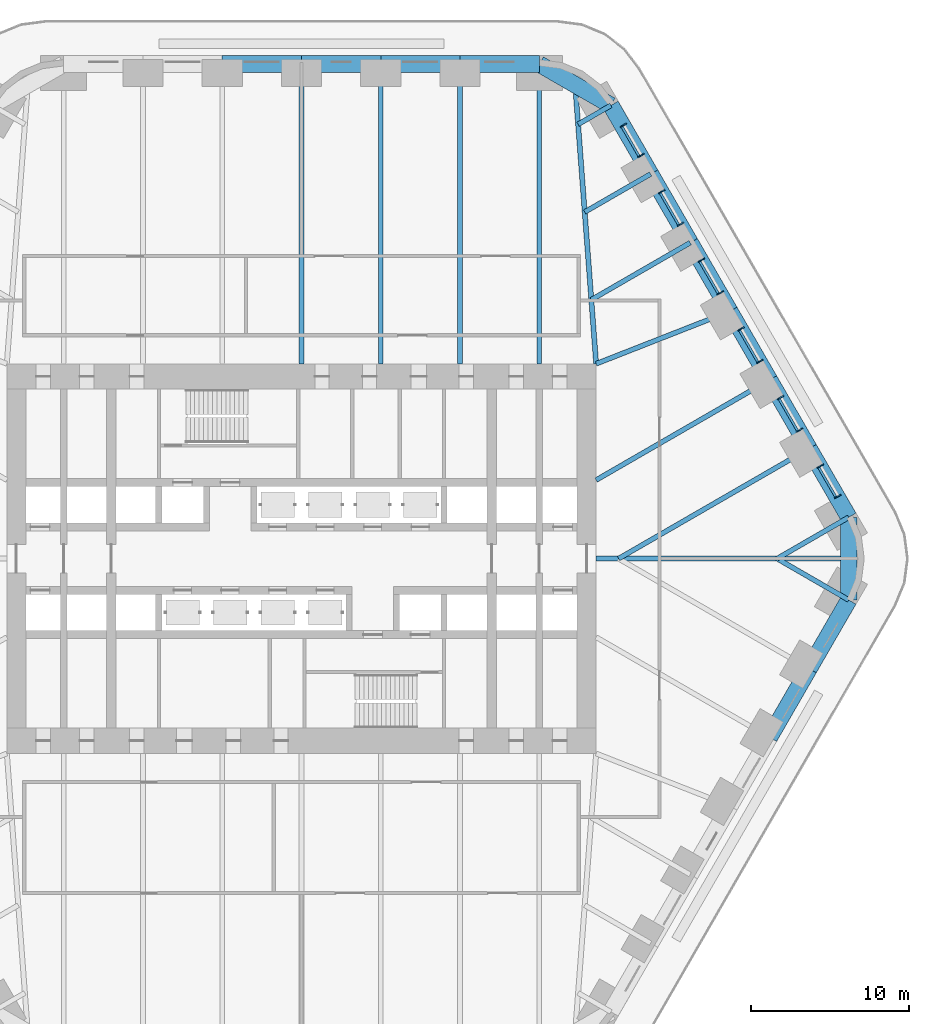
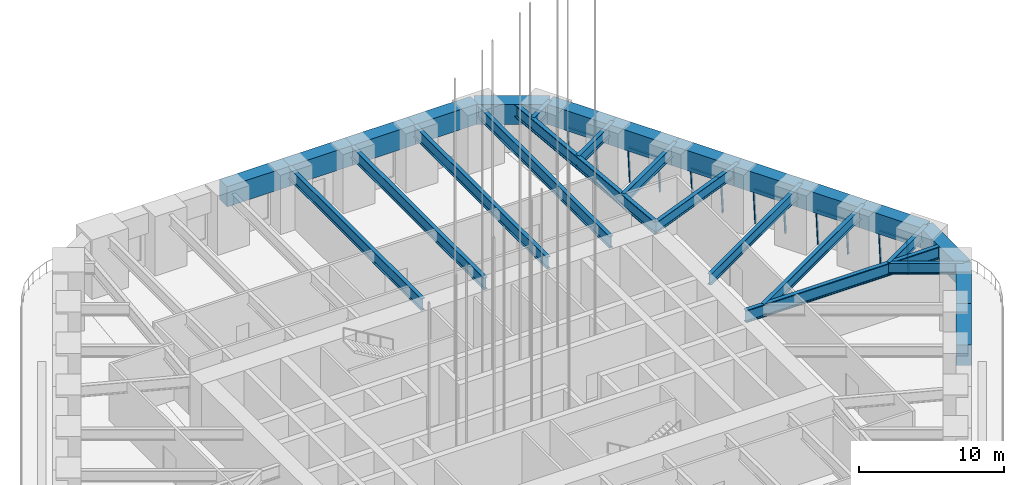
# One storey, part 5 of 15: 28 beams, 18 members, 6 elements without a shape of their own.
"""IFC4 building model written with IfcOpenShell, lengths in metres."""

from ifc_helpers import new_model, si_unit, direction, frame, origin, origin_2d, place, context, subcontext, project, spatial, rectangle, i_section, extrude, material, material_profile, profile_set, type_object, element, aggregate, save


model = new_model("IFC4")

# Units and contexts
model_context = context("Model", 3, precision=1e-05, world=origin(), true_north=direction((0.0, 1.0)))
body_context = subcontext(model_context, "Body", "Model", "MODEL_VIEW")
ifc_project = project(units=[si_unit("LENGTHUNIT", "METRE"), si_unit("AREAUNIT", "SQUARE_METRE"), si_unit("VOLUMEUNIT", "CUBIC_METRE"), si_unit("PLANEANGLEUNIT", "RADIAN"), si_unit("MASSUNIT", "GRAM", prefix="KILO")], contexts=[model_context])

# Site, building, storey
site_placement = place(None, origin())
site = spatial("IfcSite", under=ifc_project, at=site_placement, CompositionType="ELEMENT")
building_placement = place(site_placement, origin())
building = spatial("IfcBuilding", under=site, at=building_placement, Name="Tarfa Lantern Tower", CompositionType="ELEMENT")
storey_placement = place(building_placement, frame((0.0, 0.0, 114.5)))
storey = spatial("IfcBuildingStorey", under=building, at=storey_placement, Name="L25", CompositionType="ELEMENT", Elevation=114.5)

# Curtain wall, members
ifc_material_1 = material(Name="Aluminium framed curtain wall", Category="aluminium")
curtain_wall_type = type_object("IfcCurtainWallType", Name="CW5 CANTED GLAZING SKY LOBBY 3100", PredefinedType="USERDEFINED", material=ifc_material_1)
curtain_wall_1_placement = place(storey_placement, origin())
curtain_wall_1 = element("IfcCurtainWall", 1, at=curtain_wall_1_placement, inside=storey, type_object=curtain_wall_type, Name="CW5 NE L25", ObjectType="CURTAIN WALL", PredefinedType="USERDEFINED")
ifc_material_2 = material(Name="Aluminium mullion", Category="aluminium")
ifc_material_profile_1 = material_profile(ifc_material_2, rectangle(XDim=0.06494140625, YDim=0.199951171875, at=origin_2d()), Name="AL MULLION 65x200")
ifc_profile_set_1 = profile_set([ifc_material_profile_1], Name="Aluminium mullion")
member_type_1 = type_object("IfcMemberType", Name="CWM1 MULLION 65x200", PredefinedType="MULLION", material=ifc_profile_set_1)
member_1_placement = place(storey_placement, frame((33.95751953125, 3.98388671875, 0.0), z_axis=(-0.069627412985, -0.040190795319, 0.99676312298), x_axis=(0.499919672301, -0.866071776036, 0.0)))
member_1 = element("IfcMember", 2, at=member_1_placement, type_object=member_type_1, Name="CW5 mullion 1", PredefinedType="MULLION", context=body_context, shape_type="SweptSolid", body=[
    extrude(rectangle(XDim=0.06494140625, YDim=0.199951171875, at=origin_2d()), origin(), (0.0, 0.0, 1.0), 3.110107421875),
])
member_2_placement = place(storey_placement, frame((32.8505859375, 5.901123046875, 0.0), z_axis=(-0.069627412985, -0.040190795319, 0.99676312298), x_axis=(0.499919672301, -0.866071776036, 0.0)))
member_2 = element("IfcMember", 3, at=member_2_placement, type_object=member_type_1, Name="CW5 mullion 2", PredefinedType="MULLION", context=body_context, shape_type="SweptSolid", body=[
    extrude(rectangle(XDim=0.06494140625, YDim=0.199951171875, at=origin_2d()), origin(), (0.0, 0.0, 1.0), 3.110107421875),
])

curtain_wall_2_placement = place(storey_placement, origin())
curtain_wall_2 = element("IfcCurtainWall", 4, at=curtain_wall_2_placement, inside=storey, type_object=curtain_wall_type, Name="CW5 NE L25", ObjectType="CURTAIN WALL", PredefinedType="USERDEFINED")
member_3_placement = place(storey_placement, frame((31.543212890625, 8.165771484375, 0.0), z_axis=(-0.069627412985, -0.040190795319, 0.99676312298), x_axis=(0.499919672301, -0.866071776036, 0.0)))
member_3 = element("IfcMember", 5, at=member_3_placement, type_object=member_type_1, Name="CW5 mullion 1", PredefinedType="MULLION", context=body_context, shape_type="SweptSolid", body=[
    extrude(rectangle(XDim=0.06494140625, YDim=0.199951171875, at=origin_2d()), origin(), (0.0, 0.0, 1.0), 3.110107421875),
])
member_4_placement = place(storey_placement, frame((30.348876953125, 10.234375, 0.0), z_axis=(-0.069627412985, -0.040190795319, 0.99676312298), x_axis=(0.499919672301, -0.866071776036, 0.0)))
member_4 = element("IfcMember", 6, at=member_4_placement, type_object=member_type_1, Name="CW5 mullion 2", PredefinedType="MULLION", context=body_context, shape_type="SweptSolid", body=[
    extrude(rectangle(XDim=0.06494140625, YDim=0.199951171875, at=origin_2d()), origin(), (0.0, 0.0, 1.0), 3.110107421875),
])

curtain_wall_3_placement = place(storey_placement, origin())
curtain_wall_3 = element("IfcCurtainWall", 7, at=curtain_wall_3_placement, inside=storey, type_object=curtain_wall_type, Name="CW5 NE L25", ObjectType="CURTAIN WALL", PredefinedType="USERDEFINED")
member_5_placement = place(storey_placement, frame((29.041259765625, 12.4990234375, 0.0), z_axis=(-0.069627412985, -0.040190795319, 0.99676312298), x_axis=(0.499919672301, -0.866071776036, 0.0)))
member_5 = element("IfcMember", 8, at=member_5_placement, type_object=member_type_1, Name="CW5 mullion 1", PredefinedType="MULLION", context=body_context, shape_type="SweptSolid", body=[
    extrude(rectangle(XDim=0.06494140625, YDim=0.199951171875, at=origin_2d()), origin(), (0.0, 0.0, 1.0), 3.110107421875),
])
member_6_placement = place(storey_placement, frame((27.846923828125, 14.567626953125, 0.0), z_axis=(-0.069627412985, -0.040190795319, 0.99676312298), x_axis=(0.499919672301, -0.866071776036, 0.0)))
member_6 = element("IfcMember", 9, at=member_6_placement, type_object=member_type_1, Name="CW5 mullion 2", PredefinedType="MULLION", context=body_context, shape_type="SweptSolid", body=[
    extrude(rectangle(XDim=0.06494140625, YDim=0.199951171875, at=origin_2d()), origin(), (0.0, 0.0, 1.0), 3.110107421875),
])

curtain_wall_4_placement = place(storey_placement, origin())
curtain_wall_4 = element("IfcCurtainWall", 10, at=curtain_wall_4_placement, inside=storey, type_object=curtain_wall_type, Name="CW5 NE L25", ObjectType="CURTAIN WALL", PredefinedType="USERDEFINED")
member_7_placement = place(storey_placement, frame((26.53955078125, 16.832275390625, 0.0), z_axis=(-0.069627412985, -0.040190795319, 0.99676312298), x_axis=(0.499919672301, -0.866071776036, 0.0)))
member_7 = element("IfcMember", 11, at=member_7_placement, type_object=member_type_1, Name="CW5 mullion 1", PredefinedType="MULLION", context=body_context, shape_type="SweptSolid", body=[
    extrude(rectangle(XDim=0.06494140625, YDim=0.199951171875, at=origin_2d()), origin(), (0.0, 0.0, 1.0), 3.110107421875),
])
member_8_placement = place(storey_placement, frame((25.34521484375, 18.901123046875, 0.0), z_axis=(-0.069627412985, -0.040190795319, 0.99676312298), x_axis=(0.499919672301, -0.866071776036, 0.0)))
member_8 = element("IfcMember", 12, at=member_8_placement, type_object=member_type_1, Name="CW5 mullion 2", PredefinedType="MULLION", context=body_context, shape_type="SweptSolid", body=[
    extrude(rectangle(XDim=0.06494140625, YDim=0.199951171875, at=origin_2d()), origin(), (0.0, 0.0, 1.0), 3.110107421875),
])

curtain_wall_5_placement = place(storey_placement, origin())
curtain_wall_5 = element("IfcCurtainWall", 13, at=curtain_wall_5_placement, inside=storey, type_object=curtain_wall_type, Name="CW5 NE L25", ObjectType="CURTAIN WALL", PredefinedType="USERDEFINED")
member_9_placement = place(storey_placement, frame((24.03759765625, 21.165771484375, 0.0), z_axis=(-0.069627412985, -0.040190795319, 0.99676312298), x_axis=(0.499919672301, -0.866071776036, 0.0)))
member_9 = element("IfcMember", 14, at=member_9_placement, type_object=member_type_1, Name="CW5 mullion 1", PredefinedType="MULLION", context=body_context, shape_type="SweptSolid", body=[
    extrude(rectangle(XDim=0.06494140625, YDim=0.199951171875, at=origin_2d()), origin(), (0.0, 0.0, 1.0), 3.110107421875),
])
member_10_placement = place(storey_placement, frame((22.84326171875, 23.234375, 0.0), z_axis=(-0.069627412985, -0.040190795319, 0.99676312298), x_axis=(0.499919672301, -0.866071776036, 0.0)))
member_10 = element("IfcMember", 15, at=member_10_placement, type_object=member_type_1, Name="CW5 mullion 2", PredefinedType="MULLION", context=body_context, shape_type="SweptSolid", body=[
    extrude(rectangle(XDim=0.06494140625, YDim=0.199951171875, at=origin_2d()), origin(), (0.0, 0.0, 1.0), 3.110107421875),
])

curtain_wall_6_placement = place(storey_placement, origin())
curtain_wall_6 = element("IfcCurtainWall", 16, at=curtain_wall_6_placement, inside=storey, type_object=curtain_wall_type, Name="CW5 NE L25", ObjectType="CURTAIN WALL", PredefinedType="USERDEFINED")
member_11_placement = place(storey_placement, frame((21.53564453125, 25.4990234375, 0.0), z_axis=(-0.069549295252, -0.040191014864, 0.99676856785), x_axis=(0.500342721131, -0.865827443207, 0.0)))
member_11 = element("IfcMember", 17, at=member_11_placement, type_object=member_type_1, Name="CW5 mullion 1", PredefinedType="MULLION", context=body_context, shape_type="SweptSolid", body=[
    extrude(rectangle(XDim=0.06494140625, YDim=0.199951171875, at=origin_2d()), origin(), (0.0, 0.0, 1.0), 3.110107421875),
])
member_12_placement = place(storey_placement, frame((20.428955078125, 27.416015625, 0.0), z_axis=(-0.069627412985, -0.040190795319, 0.99676312298), x_axis=(0.499919672301, -0.866071776036, 0.0)))
member_12 = element("IfcMember", 18, at=member_12_placement, type_object=member_type_1, Name="CW5 mullion 2", PredefinedType="MULLION", context=body_context, shape_type="SweptSolid", body=[
    extrude(rectangle(XDim=0.06494140625, YDim=0.199951171875, at=origin_2d()), origin(), (0.0, 0.0, 1.0), 3.110107421875),
])

# Member
ifc_material_3 = material(Name="Aluminium transom", Category="aluminium")
ifc_material_profile_2 = material_profile(ifc_material_3, rectangle(XDim=0.14990234375, YDim=0.06494140625, at=origin_2d()), Name="AL TRANSOM 150x65")
ifc_profile_set_2 = profile_set([ifc_material_profile_2], Name="Aluminium transom")
member_type_2 = type_object("IfcMemberType", Name="CWT1 TRANSOM 150x65", PredefinedType="USERDEFINED", material=ifc_profile_set_2)
member_13_placement = place(storey_placement, frame((33.72705078125, 3.888427734375, 3.0673828125), z_axis=(-0.500037174102, 0.866003940243, 0.0), x_axis=(-0.866003940243, -0.500037174102, 0.0)))
member_13 = element("IfcMember", 19, at=member_13_placement, type_object=member_type_2, Name="CW5 transom 1.2", ObjectType="TRANSOM", PredefinedType="USERDEFINED", context=body_context, shape_type="SweptSolid", body=[
    extrude(rectangle(XDim=0.14990234375, YDim=0.06494140625, at=origin_2d()), origin(), (0.0, 0.0, 1.0), 2.148681640625),
])

aggregate(curtain_wall_1, [member_1, member_2, member_13])

member_14_placement = place(storey_placement, frame((31.312744140625, 8.070068359375, 3.0673828125), z_axis=(-0.499992256698, 0.866029874336, 0.0), x_axis=(-0.866029874336, -0.499992256698, 0.0)))
member_14 = element("IfcMember", 20, at=member_14_placement, type_object=member_type_2, Name="CW5 transom 1.2", ObjectType="TRANSOM", PredefinedType="USERDEFINED", context=body_context, shape_type="SweptSolid", body=[
    extrude(rectangle(XDim=0.14990234375, YDim=0.06494140625, at=origin_2d()), origin(), (0.0, 0.0, 1.0), 2.32373046875),
])

aggregate(curtain_wall_2, [member_3, member_4, member_14])

member_15_placement = place(storey_placement, frame((28.810791015625, 12.403564453125, 3.0673828125), z_axis=(-0.500037753059, 0.866003605949, 0.0), x_axis=(-0.866003605949, -0.500037753059, 0.0)))
member_15 = element("IfcMember", 21, at=member_15_placement, type_object=member_type_2, Name="CW5 transom 1.2", ObjectType="TRANSOM", PredefinedType="USERDEFINED", context=body_context, shape_type="SweptSolid", body=[
    extrude(rectangle(XDim=0.14990234375, YDim=0.06494140625, at=origin_2d()), origin(), (0.0, 0.0, 1.0), 2.323486328125),
])

aggregate(curtain_wall_3, [member_5, member_6, member_15])

member_16_placement = place(storey_placement, frame((26.30908203125, 16.73681640625, 3.0673828125), z_axis=(-0.499992256698, 0.866029874336, 0.0), x_axis=(-0.866029874336, -0.499992256698, 0.0)))
member_16 = element("IfcMember", 22, at=member_16_placement, type_object=member_type_2, Name="CW5 transom 1.2", ObjectType="TRANSOM", PredefinedType="USERDEFINED", context=body_context, shape_type="SweptSolid", body=[
    extrude(rectangle(XDim=0.14990234375, YDim=0.06494140625, at=origin_2d()), origin(), (0.0, 0.0, 1.0), 2.32373046875),
])

aggregate(curtain_wall_4, [member_7, member_8, member_16])

member_17_placement = place(storey_placement, frame((23.80712890625, 21.070068359375, 3.0673828125), z_axis=(-0.499992256698, 0.866029874336, 0.0), x_axis=(-0.866029874336, -0.499992256698, 0.0)))
member_17 = element("IfcMember", 23, at=member_17_placement, type_object=member_type_2, Name="CW5 transom 1.2", ObjectType="TRANSOM", PredefinedType="USERDEFINED", context=body_context, shape_type="SweptSolid", body=[
    extrude(rectangle(XDim=0.14990234375, YDim=0.06494140625, at=origin_2d()), origin(), (0.0, 0.0, 1.0), 2.32373046875),
])

aggregate(curtain_wall_5, [member_9, member_10, member_17])

member_18_placement = place(storey_placement, frame((21.30517578125, 25.403564453125, 3.0673828125), z_axis=(-0.500001158966, 0.866024734654, 0.0), x_axis=(-0.866024734654, -0.500001158966, 0.0)))
member_18 = element("IfcMember", 24, at=member_18_placement, type_object=member_type_2, Name="CW5 transom 1.2", ObjectType="TRANSOM", PredefinedType="USERDEFINED", context=body_context, shape_type="SweptSolid", body=[
    extrude(rectangle(XDim=0.14990234375, YDim=0.06494140625, at=origin_2d()), origin(), (0.0, 0.0, 1.0), 2.1484375),
])

aggregate(curtain_wall_6, [member_11, member_12, member_18])

# Beams
ifc_material_4 = material(Name="Concrete C80/95", Category="concrete")
ifc_material_profile_3 = material_profile(ifc_material_4, rectangle(XDim=1.050048828125, YDim=1.699951171875, at=origin_2d()), Name="RC 1050x1700")
ifc_profile_set_3 = profile_set([ifc_material_profile_3], Name="Concrete C80/95")
beam_type_1 = type_object("IfcBeamType", Name="RB2 RC 1050x1700", PredefinedType="BEAM", material=ifc_profile_set_3)
for number, where, z_axis, x_axis, name in (
    (25, (34.54296875, 2.610107421875, 3.949951171875), (-0.500022324899, 0.866012514114, 0.0), (-0.866012514114, -0.500022324899, 0.0), "Edge beam NE0"),
    (26, (32.041015625, 6.943359375, 3.949951171875), (-0.500022324899, 0.866012514114, 0.0), (-0.866012514114, -0.500022324899, 0.0), "Edge beam NE1"),
    (27, (29.5390625, 11.276611328125, 3.949951171875), (-0.499964603504, 0.866045838996, 0.0), (-0.866045838996, -0.499964603504, 0.0), "Edge beam NE2"),
    (28, (27.037353515625, 15.610107421875, 3.949951171875), (-0.500022324899, 0.866012514114, 0.0), (-0.866012514114, -0.500022324899, 0.0), "Edge beam NE3"),
    (29, (24.535400390625, 19.943359375, 3.949951171875), (-0.49998573051, 0.866033642122, 0.0), (-0.866033642122, -0.49998573051, 0.0), "Edge beam NE4"),
):
    element("IfcBeam", number, at=place(storey_placement, frame(where, z_axis=z_axis, x_axis=x_axis)), inside=storey, type_object=beam_type_1, Name=name, PredefinedType="BEAM", context=body_context, shape_type="SweptSolid", body=[
        extrude(rectangle(XDim=1.050048828125, YDim=1.699951171875, at=origin_2d()), origin(), (0.0, 0.0, 1.0), 5.003662109375),
    ])
beam_1_placement = place(storey_placement, frame((22.03369140625, 24.276611328125, 3.949951171875), z_axis=(-0.500001197378, 0.866024712477, 0.0), x_axis=(-0.866024712477, -0.500001197378, 0.0)))
element("IfcBeam", 30, at=beam_1_placement, inside=storey, type_object=beam_type_1, Name="Edge beam NE5", PredefinedType="BEAM", context=body_context, shape_type="SweptSolid", body=[
    extrude(rectangle(XDim=1.050048828125, YDim=1.699951171875, at=origin_2d()), origin(), (0.0, 0.0, 1.0), 5.00390625),
])
beam_2_placement = place(storey_placement, frame((19.53173828125, 28.610107421875, 3.949951171875), z_axis=(-0.86604150238, 0.499972115377, 0.0), x_axis=(-0.499972115377, -0.86604150238, 0.0)))
element("IfcBeam", 31, at=beam_2_placement, inside=storey, type_object=beam_type_1, Name="Edge beam NE6", PredefinedType="BEAM", context=body_context, shape_type="SweptSolid", body=[
    extrude(rectangle(XDim=1.050048828125, YDim=1.699951171875, at=origin_2d()), origin(), (0.0, 0.0, 1.0), 5.219970703125),
])
for number, where, z_axis, x_axis, name in (
    (32, (15.010986328125, 31.219970703125, 3.949951171875), (-1.0, 0.0, 0.0), (0.0, -1.0, 0.0), "Edge beam N0"),
    (33, (10.00732421875, 31.219970703125, 3.949951171875), (-1.0, 0.0, 0.0), (0.0, -1.0, 0.0), "Edge beam N1"),
    (34, (5.003662109375, 31.219970703125, 3.949951171875), (-1.0, 0.0, 0.0), (0.0, -1.0, 0.0), "Edge beam N2"),
    (35, (0.0, 31.219970703125, 3.949951171875), (-1.0, 0.0, 0.0), (0.0, -1.0, 0.0), "Edge beam N3"),
    (36, (29.5390625, -11.276611328125, 3.949951171875), (0.500022324899, 0.866012514114, 0.0), (-0.866012514114, 0.500022324899, 0.0), "Edge beam SE4"),
    (37, (32.041015625, -6.943359375, 3.949951171875), (0.500022324899, 0.866012514114, 0.0), (-0.866012514114, 0.500022324899, 0.0), "Edge beam SE5"),
):
    element("IfcBeam", number, at=place(storey_placement, frame(where, z_axis=z_axis, x_axis=x_axis)), inside=storey, type_object=beam_type_1, Name=name, PredefinedType="BEAM", context=body_context, shape_type="SweptSolid", body=[
        extrude(rectangle(XDim=1.050048828125, YDim=1.699951171875, at=origin_2d()), origin(), (0.0, 0.0, 1.0), 5.003662109375),
    ])
beam_3_placement = place(storey_placement, frame((34.54296875, -2.610107421875, 3.949951171875), z_axis=(0.0, 1.0, 0.0), x_axis=(-1.0, 0.0, 0.0)))
element("IfcBeam", 38, at=beam_3_placement, inside=storey, type_object=beam_type_1, Name="Edge beam SE6", PredefinedType="BEAM", context=body_context, shape_type="SweptSolid", body=[
    extrude(rectangle(XDim=1.050048828125, YDim=1.699951171875, at=origin_2d()), origin(), (0.0, 0.0, 1.0), 5.22021484375),
])
ifc_material_5 = material(Name="Steel S460M", Category="steel")
ifc_material_profile_4 = material_profile(ifc_material_5, i_section(OverallWidth=0.302001953125, OverallDepth=1.008056640625, WebThickness=0.02099609375, FlangeThickness=0.0400390625, FilletRadius=0.030029296875, at=origin_2d()), Name="UB1016x305x349")
ifc_profile_set_4 = profile_set([ifc_material_profile_4], Name="Steel S460M")
beam_type_2 = type_object("IfcBeamType", Name="UB1016x305x349", PredefinedType="BEAM", material=ifc_profile_set_4)
for number, where, z_axis, x_axis, name in (
    (39, (15.010986328125, 31.219970703125, 4.2958984375), (0.0, -1.0, 0.0), (1.0, 0.0, 0.0), "Floor beam N0"),
    (40, (10.00732421875, 31.219970703125, 4.2958984375), (0.0, -1.0, 0.0), (1.0, 0.0, 0.0), "Floor beam N1"),
    (41, (5.003662109375, 31.219970703125, 4.2958984375), (0.0, -1.0, 0.0), (1.0, 0.0, 0.0), "Floor beam N2"),
    (42, (0.0, 31.219970703125, 4.2958984375), (0.0, -1.0, 0.0), (1.0, 0.0, 0.0), "Floor beam N3"),
):
    element("IfcBeam", number, at=place(storey_placement, frame(where, z_axis=z_axis, x_axis=x_axis)), inside=storey, type_object=beam_type_2, Name=name, PredefinedType="BEAM", context=body_context, shape_type="SweptSolid", body=[
        extrude(i_section(OverallWidth=0.302001953125, OverallDepth=1.008056640625, WebThickness=0.02099609375, FlangeThickness=0.0400390625, FilletRadius=0.030029296875, at=origin_2d()), origin(), (0.0, 0.0, 1.0), 18.919921875),
    ])
ifc_material_profile_5 = material_profile(ifc_material_5, i_section(OverallWidth=0.314208984375, OverallDepth=1.055908203125, WebThickness=0.035888671875, FlangeThickness=0.06396484375, FilletRadius=0.030029296875, at=origin_2d()), Name="UB1016x305x584")
ifc_profile_set_5 = profile_set([ifc_material_profile_5], Name="Steel S460M")
beam_type_3 = type_object("IfcBeamType", Name="UB1016x305x584", PredefinedType="BEAM", material=ifc_profile_set_5)
beam_4_placement = place(storey_placement, frame((18.60009765625, 0.0, 4.27197265625), z_axis=(1.0, 0.0, 0.0), x_axis=(0.0, 1.0, 0.0)))
element("IfcBeam", 43, at=beam_4_placement, inside=storey, type_object=beam_type_3, Name="Hip girder E", PredefinedType="BEAM", context=body_context, shape_type="SweptSolid", body=[
    extrude(i_section(OverallWidth=0.314208984375, OverallDepth=1.055908203125, WebThickness=0.035888671875, FlangeThickness=0.06396484375, FilletRadius=0.030029296875, at=origin_2d()), origin(), (0.0, 0.0, 1.0), 15.94287109375),
])
beam_5_placement = place(storey_placement, frame((18.60009765625, 12.300048828125, 4.27197265625), z_axis=(-0.075211516041, 0.99716760269, 0.0), x_axis=(-0.99716760269, -0.075211516041, 0.0)))
element("IfcBeam", 44, at=beam_5_placement, inside=storey, type_object=beam_type_3, Name="Hip girder NE", PredefinedType="BEAM", context=body_context, shape_type="SweptSolid", body=[
    extrude(i_section(OverallWidth=0.314208984375, OverallDepth=1.055908203125, WebThickness=0.035888671875, FlangeThickness=0.06396484375, FilletRadius=0.030029296875, at=origin_2d()), origin(), (0.0, 0.0, 1.0), 17.6650390625),
])
ifc_material_profile_6 = material_profile(ifc_material_5, i_section(OverallWidth=0.305419921875, OverallDepth=0.91845703125, WebThickness=0.017333984375, FlangeThickness=0.02783203125, FilletRadius=0.01904296875, at=origin_2d()), Name="UB914x305x253")
ifc_profile_set_6 = profile_set([ifc_material_profile_6], Name="Steel S460M")
beam_type_4 = type_object("IfcBeamType", Name="UB914x305x253", PredefinedType="BEAM", material=ifc_profile_set_6)
beam_6_placement = place(storey_placement, frame((34.54296875, 2.610107421875, 4.3408203125), z_axis=(-0.866021250859, -0.500007193008, 0.0), x_axis=(0.500007193008, -0.866021250859, 0.0)))
element("IfcBeam", 45, at=beam_6_placement, inside=storey, type_object=beam_type_4, Name="Floor beam NE0", PredefinedType="BEAM", context=body_context, shape_type="SweptSolid", body=[
    extrude(i_section(OverallWidth=0.305419921875, OverallDepth=0.91845703125, WebThickness=0.017333984375, FlangeThickness=0.02783203125, FilletRadius=0.01904296875, at=origin_2d()), origin(), (0.0, 0.0, 1.0), 5.22021484375),
])
beam_7_placement = place(storey_placement, frame((32.041015625, 6.943359375, 4.3408203125), z_axis=(-0.866023096411, -0.500003996466, 0.0), x_axis=(0.500003996466, -0.866023096411, 0.0)))
element("IfcBeam", 46, at=beam_7_placement, inside=storey, type_object=beam_type_4, Name="Floor beam NE1", PredefinedType="BEAM", context=body_context, shape_type="SweptSolid", body=[
    extrude(i_section(OverallWidth=0.305419921875, OverallDepth=0.91845703125, WebThickness=0.017333984375, FlangeThickness=0.02783203125, FilletRadius=0.01904296875, at=origin_2d()), origin(), (0.0, 0.0, 1.0), 13.88671875),
])
beam_8_placement = place(storey_placement, frame((29.5390625, 11.276611328125, 4.3408203125), z_axis=(-0.866023362995, -0.500003534735, 0.0), x_axis=(0.500003534735, -0.866023362995, 0.0)))
element("IfcBeam", 47, at=beam_8_placement, inside=storey, type_object=beam_type_4, Name="Floor beam NE2", PredefinedType="BEAM", context=body_context, shape_type="SweptSolid", body=[
    extrude(i_section(OverallWidth=0.305419921875, OverallDepth=0.91845703125, WebThickness=0.017333984375, FlangeThickness=0.02783203125, FilletRadius=0.01904296875, at=origin_2d()), origin(), (0.0, 0.0, 1.0), 12.63134765625),
])
beam_9_placement = place(storey_placement, frame((27.037353515625, 15.610107421875, 4.3408203125), z_axis=(-0.930923282782, -0.365214788274, 0.0), x_axis=(0.365214788274, -0.930923282782, 0.0)))
element("IfcBeam", 48, at=beam_9_placement, inside=storey, type_object=beam_type_4, Name="Floor beam NE3", PredefinedType="BEAM", context=body_context, shape_type="SweptSolid", body=[
    extrude(i_section(OverallWidth=0.305419921875, OverallDepth=0.91845703125, WebThickness=0.017333984375, FlangeThickness=0.02783203125, FilletRadius=0.01904296875, at=origin_2d()), origin(), (0.0, 0.0, 1.0), 9.063232421875),
])
beam_10_placement = place(storey_placement, frame((24.535400390625, 19.943359375, 4.3408203125), z_axis=(-0.86602647304, -0.499998147991, 0.0), x_axis=(0.499998147991, -0.86602647304, 0.0)))
element("IfcBeam", 49, at=beam_10_placement, inside=storey, type_object=beam_type_4, Name="Floor beam NE4", PredefinedType="BEAM", context=body_context, shape_type="SweptSolid", body=[
    extrude(i_section(OverallWidth=0.305419921875, OverallDepth=0.91845703125, WebThickness=0.017333984375, FlangeThickness=0.02783203125, FilletRadius=0.01904296875, at=origin_2d()), origin(), (0.0, 0.0, 1.0), 7.20556640625),
])
beam_11_placement = place(storey_placement, frame((22.03369140625, 24.276611328125, 4.3408203125), z_axis=(-0.866030550462, -0.499991085587, 0.0), x_axis=(0.499991085587, -0.866030550462, 0.0)))
element("IfcBeam", 50, at=beam_11_placement, inside=storey, type_object=beam_type_4, Name="Floor beam NE5", PredefinedType="BEAM", context=body_context, shape_type="SweptSolid", body=[
    extrude(i_section(OverallWidth=0.305419921875, OverallDepth=0.91845703125, WebThickness=0.017333984375, FlangeThickness=0.02783203125, FilletRadius=0.01904296875, at=origin_2d()), origin(), (0.0, 0.0, 1.0), 4.798828125),
])
beam_12_placement = place(storey_placement, frame((19.53173828125, 28.610107421875, 4.3408203125), z_axis=(-0.865998640954, -0.500046351717, 0.0), x_axis=(0.500046351717, -0.865998640954, 0.0)))
element("IfcBeam", 51, at=beam_12_placement, inside=storey, type_object=beam_type_4, Name="Floor beam NE6", PredefinedType="BEAM", context=body_context, shape_type="SweptSolid", body=[
    extrude(i_section(OverallWidth=0.305419921875, OverallDepth=0.91845703125, WebThickness=0.017333984375, FlangeThickness=0.02783203125, FilletRadius=0.01904296875, at=origin_2d()), origin(), (0.0, 0.0, 1.0), 2.392333984375),
])
beam_13_placement = place(storey_placement, frame((34.54296875, -2.610107421875, 4.3408203125), z_axis=(-0.866021250859, 0.500007193008, 0.0), x_axis=(-0.500007193008, -0.866021250859, 0.0)))
element("IfcBeam", 52, at=beam_13_placement, inside=storey, type_object=beam_type_4, Name="Floor beam SE6", PredefinedType="BEAM", context=body_context, shape_type="SweptSolid", body=[
    extrude(i_section(OverallWidth=0.305419921875, OverallDepth=0.91845703125, WebThickness=0.017333984375, FlangeThickness=0.02783203125, FilletRadius=0.01904296875, at=origin_2d()), origin(), (0.0, 0.0, 1.0), 5.22021484375),
])

save(model, "model.ifc")
